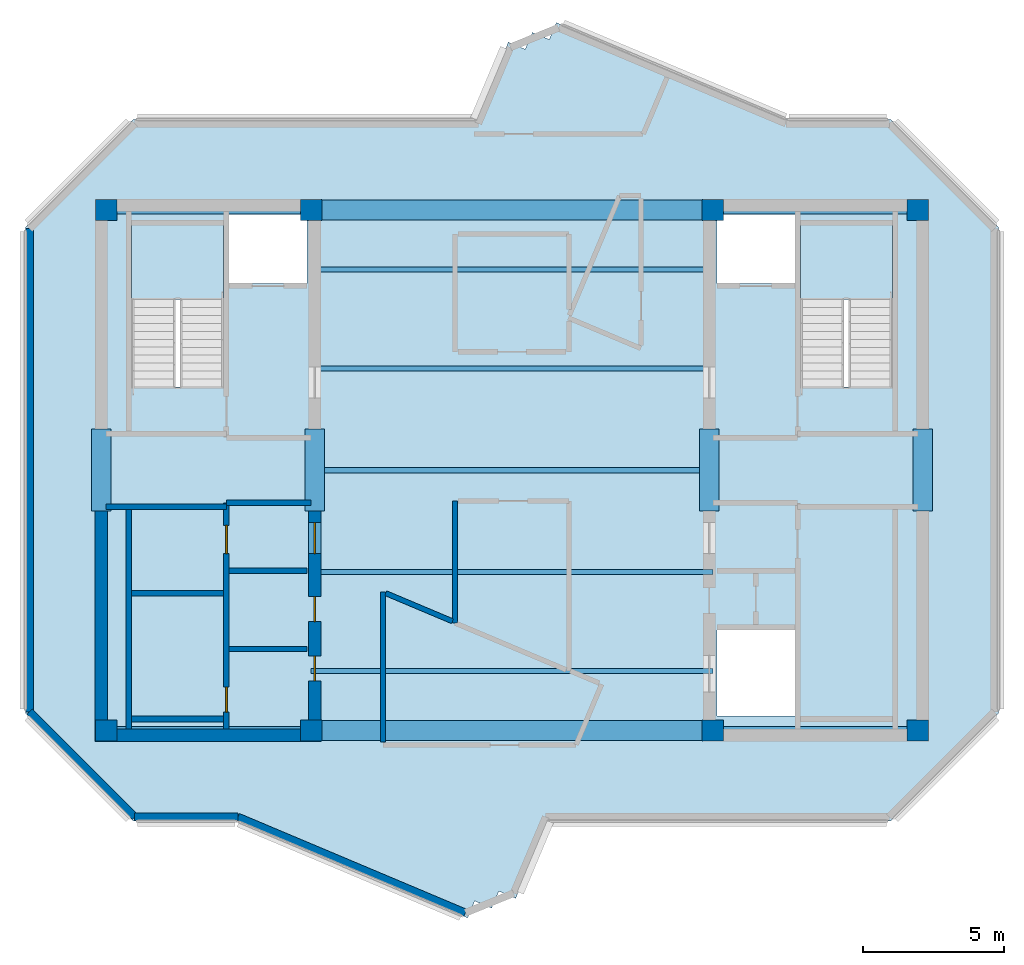
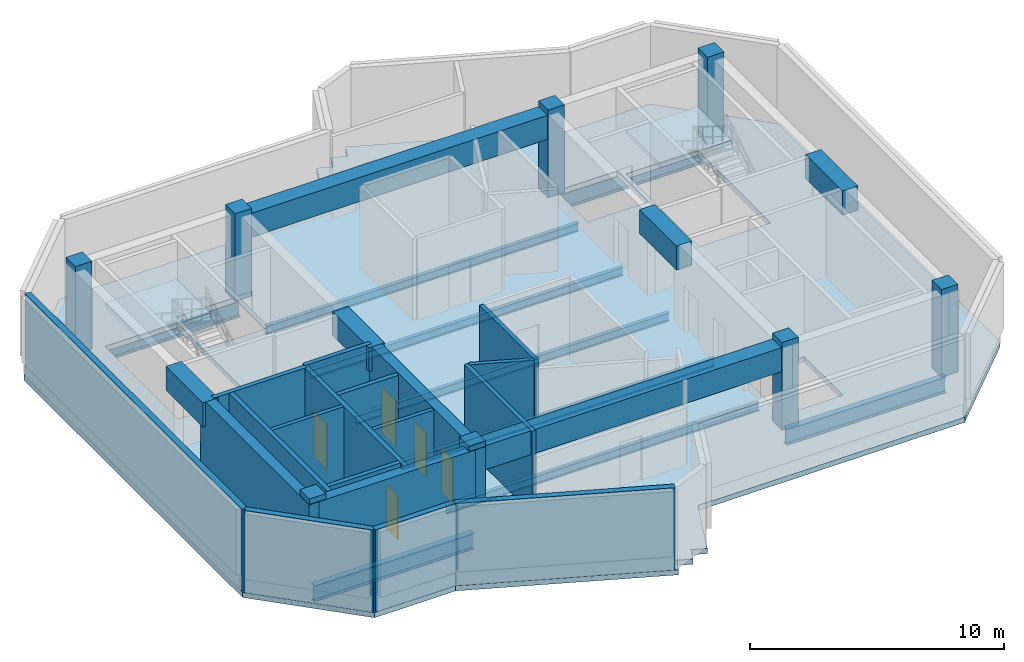
# One storey, part 1 of 5: 18 walls, 15 beams, 8 columns, 5 doors, 3 slabs, 5 openings, 2 elements without a shape of their own.
"""IFC4 building model written with IfcOpenShell, lengths in metres."""

from ifc_helpers import new_model, si_unit, direction, frame, frame_2d, origin, origin_2d, place, context, subcontext, project, spatial, polyline, rectangle, i_section, outline, extrude, source, transform, mapped, material, layer, layer_set, material_profile, profile_set, type_object, element, fill, aggregate, save


model = new_model("IFC4")

# Units and contexts
model_context = context("Model", 3, precision=1e-05, world=origin(), true_north=direction((0.0, 1.0)))
body_context = subcontext(model_context, "Body", "Model", "MODEL_VIEW")
ifc_project = project(units=[si_unit("LENGTHUNIT", "METRE"), si_unit("AREAUNIT", "SQUARE_METRE"), si_unit("VOLUMEUNIT", "CUBIC_METRE"), si_unit("PLANEANGLEUNIT", "RADIAN"), si_unit("MASSUNIT", "GRAM", prefix="KILO")], contexts=[model_context])

# Site, building, storey
site_placement = place(None, origin())
site = spatial("IfcSite", under=ifc_project, at=site_placement, CompositionType="ELEMENT")
building_placement = place(site_placement, origin())
building = spatial("IfcBuilding", under=site, at=building_placement, Name="Zahravan Cultural Tower", CompositionType="ELEMENT")
storey_placement = place(building_placement, frame((0.0, 0.0, 383.85009765625)))
storey = spatial("IfcBuildingStorey", under=building, at=storey_placement, Name="L93", CompositionType="ELEMENT", Elevation=383.85009765625)

# Columns
ifc_material_1 = material(Name="Concrete C45/55", Category="concrete")
ifc_material_profile_1 = material_profile(ifc_material_1, rectangle(XDim=0.75, YDim=0.75, at=origin_2d()), Name="RC750X750")
ifc_profile_set_1 = profile_set([ifc_material_profile_1], Name="Concrete C45/55")
column_type = type_object("IfcColumnType", Name="COL-RC750", PredefinedType="COLUMN", material=ifc_profile_set_1)
shared_shape_1 = source(origin(), body_context, "Body", "SweptSolid", [
    extrude(rectangle(XDim=0.75, YDim=0.75, at=origin_2d()), origin(), (0.0, 0.0, 1.0), 4.199951171875),
])
for number, where, z_axis, x_axis, name in (
    (1, (21.64990234375, 17.800048828125, 0.0), (0.0, 0.0, 1.0), (1.0, 0.0, 0.0), "L93 Column CC-W1"),
    (2, (28.89990234375, 17.800048828125, 0.0), (0.0, 0.0, 1.0), (1.0, 0.0, 0.0), "L93 Column CC-W2"),
    (3, (21.64990234375, 36.199951171875, 0.0), (0.0, 0.0, 1.0), (1.0, 0.0, 0.0), "L93 Column CC-W3"),
    (4, (28.89990234375, 36.199951171875, 0.0), (0.0, 0.0, 1.0), (1.0, 0.0, 0.0), "L93 Column CC-W4"),
    (5, (43.10009765625, 17.800048828125, 0.0), (0.0, 0.0, 1.0), (1.0, 0.0, 0.0), "L93 Column CC-E1"),
    (6, (50.35009765625, 17.800048828125, 0.0), (0.0, 0.0, 1.0), (1.0, 0.0, 0.0), "L93 Column CC-E2"),
    (7, (43.10009765625, 36.199951171875, 0.0), (0.0, 0.0, 1.0), (1.0, 0.0, 0.0), "L93 Column CC-E3"),
    (8, (50.35009765625, 36.199951171875, 0.0), (0.0, 0.0, 1.0), (1.0, 0.0, 0.0), "L93 Column CC-E4"),
):
    element("IfcColumn", number, at=place(storey_placement, frame(where, z_axis=z_axis, x_axis=x_axis)), inside=storey, type_object=column_type, Name=name, PredefinedType="COLUMN", context=body_context, shape_type="MappedRepresentation", body=[
        mapped(shared_shape_1, transform((0.0, 0.0, 0.0), x_axis=(1.0, 0.0, 0.0), y_axis=(0.0, 1.0, 0.0), z_axis=(0.0, 0.0, 1.0), scale=1.0)),
    ])

# Beams
ifc_material_2 = material(Name="Concrete C50/60", Category="concrete")
ifc_material_profile_2 = material_profile(ifc_material_2, rectangle(XDim=0.699951171875, YDim=1.14990234375, at=origin_2d()), Name="RC700X1150")
ifc_profile_set_2 = profile_set([ifc_material_profile_2], Name="Concrete C50/60")
beam_type_1 = type_object("IfcBeamType", Name="BM-LN-RC700X1150", PredefinedType="LINTEL", material=ifc_profile_set_2)
shared_shape_2 = source(origin(), body_context, "Body", "SweptSolid", [
    extrude(rectangle(XDim=0.699951171875, YDim=1.14990234375, at=origin_2d()), origin(), (0.0, 0.0, 1.0), 14.2001953125),
])
for number, where, z_axis, x_axis, name in (
    (9, (28.89990234375, 17.800048828125, 3.364990234375), (1.0, 0.0, 0.0), (0.0, 1.0, 0.0), "L93 Beam LN-L93-S"),
    (10, (28.89990234375, 36.199951171875, 3.364990234375), (1.0, 0.0, 0.0), (0.0, 1.0, 0.0), "L93 Beam LN-L93-N"),
):
    element("IfcBeam", number, at=place(storey_placement, frame(where, z_axis=z_axis, x_axis=x_axis)), inside=storey, type_object=beam_type_1, Name=name, PredefinedType="LINTEL", context=body_context, shape_type="MappedRepresentation", body=[
        mapped(shared_shape_2, transform((0.0, 0.0, 0.0), x_axis=(1.0, 0.0, 0.0), y_axis=(0.0, 1.0, 0.0), z_axis=(0.0, 0.0, 1.0), scale=1.0)),
    ])
shared_shape_3 = source(origin(), body_context, "Body", "SweptSolid", [
    extrude(rectangle(XDim=0.699951171875, YDim=1.14990234375, at=origin_2d()), origin(), (0.0, 0.0, 1.0), 2.89990234375),
])
for number, where, z_axis, x_axis, name in (
    (11, (21.47509765625, 25.550048828125, 3.364990234375), (0.0, 1.0, 0.0), (-1.0, 0.0, 0.0), "L93 Beam LN-L93-PWW"),
    (12, (29.02490234375, 25.550048828125, 3.364990234375), (0.0, 1.0, 0.0), (-1.0, 0.0, 0.0), "L93 Beam LN-L93-PWE"),
    (13, (42.97509765625, 25.550048828125, 3.364990234375), (0.0, 1.0, 0.0), (-1.0, 0.0, 0.0), "L93 Beam LN-L93-PEW"),
    (14, (50.52490234375, 25.550048828125, 3.364990234375), (0.0, 1.0, 0.0), (-1.0, 0.0, 0.0), "L93 Beam LN-L93-PEE"),
):
    element("IfcBeam", number, at=place(storey_placement, frame(where, z_axis=z_axis, x_axis=x_axis)), inside=storey, type_object=beam_type_1, Name=name, PredefinedType="LINTEL", context=body_context, shape_type="MappedRepresentation", body=[
        mapped(shared_shape_3, transform((0.0, 0.0, 0.0), x_axis=(1.0, 0.0, 0.0), y_axis=(0.0, 1.0, 0.0), z_axis=(0.0, 0.0, 1.0), scale=1.0)),
    ])
ifc_material_3 = material(Name="Steel ASTM A992 Grade 50", Category="steel")
ifc_material_profile_3 = material_profile(ifc_material_3, i_section(OverallWidth=0.26611328125, OverallDepth=0.780029296875, WebThickness=0.0166015625, FlangeThickness=0.030029296875, FilletRadius=0.01904296875, at=origin_2d()), Name="W30X148")
ifc_profile_set_3 = profile_set([ifc_material_profile_3], Name="Steel ASTM A992 Grade 50")
beam_type_2 = type_object("IfcBeamType", Name="BM-G-W30X148", PredefinedType="BEAM", material=ifc_profile_set_3)
shared_shape_4 = source(origin(), body_context, "Body", "SweptSolid", [
    extrude(i_section(OverallWidth=0.26611328125, OverallDepth=0.780029296875, WebThickness=0.0166015625, FlangeThickness=0.030029296875, FilletRadius=0.01904296875, at=origin_2d()), origin(), (0.0, 0.0, 1.0), 7.25),
])
for number, where, z_axis, x_axis, name in (
    (15, (21.64990234375, 17.800048828125, -0.64013671875), (1.0, 0.0, 0.0), (0.0, 1.0, 0.0), "L93 Beam BG-L93-01"),
    (16, (21.64990234375, 36.199951171875, -0.64013671875), (1.0, 0.0, 0.0), (0.0, 1.0, 0.0), "L93 Beam BG-L93-02"),
    (17, (43.10009765625, 17.800048828125, -0.64013671875), (1.0, 0.0, 0.0), (0.0, 1.0, 0.0), "L93 Beam BG-L93-04"),
    (18, (43.10009765625, 36.199951171875, -0.64013671875), (1.0, 0.0, 0.0), (0.0, 1.0, 0.0), "L93 Beam BG-L93-05"),
):
    element("IfcBeam", number, at=place(storey_placement, frame(where, z_axis=z_axis, x_axis=x_axis)), inside=storey, type_object=beam_type_2, Name=name, PredefinedType="BEAM", context=body_context, shape_type="MappedRepresentation", body=[
        mapped(shared_shape_4, transform((0.0, 0.0, 0.0), x_axis=(1.0, 0.0, 0.0), y_axis=(0.0, 1.0, 0.0), z_axis=(0.0, 0.0, 1.0), scale=1.0)),
    ])
ifc_material_profile_4 = material_profile(ifc_material_3, i_section(OverallWidth=0.177978515625, OverallDepth=0.406005859375, WebThickness=0.0078125, FlangeThickness=0.0126953125, FilletRadius=0.011962890625, at=origin_2d()), Name="W16X40")
ifc_profile_set_4 = profile_set([ifc_material_profile_4], Name="Steel ASTM A992 Grade 50")
beam_type_3 = type_object("IfcBeamType", Name="BM-J-W16X40", PredefinedType="JOIST", material=ifc_profile_set_4)
shared_shape_5 = source(origin(), body_context, "Body", "SweptSolid", [
    extrude(i_section(OverallWidth=0.177978515625, OverallDepth=0.406005859375, WebThickness=0.0078125, FlangeThickness=0.0126953125, FilletRadius=0.011962890625, at=origin_2d()), origin(), (0.0, 0.0, 1.0), 14.2001953125),
])
for number, where, z_axis, x_axis, name in (
    (19, (28.89990234375, 19.89990234375, -0.453125), (1.0, 0.0, 0.0), (0.0, 1.0, 0.0), "L93 Beam BJ-L93-07"),
    (20, (28.89990234375, 23.39990234375, -0.453125), (1.0, 0.0, 0.0), (0.0, 1.0, 0.0), "L93 Beam BJ-L93-08"),
    (21, (28.89990234375, 27.0, -0.453125), (1.0, 0.0, 0.0), (0.0, 1.0, 0.0), "L93 Beam BJ-L93-09"),
    (22, (28.89990234375, 30.60009765625, -0.453125), (1.0, 0.0, 0.0), (0.0, 1.0, 0.0), "L93 Beam BJ-L93-10"),
    (23, (28.89990234375, 34.10009765625, -0.453125), (1.0, 0.0, 0.0), (0.0, 1.0, 0.0), "L93 Beam BJ-L93-11"),
):
    element("IfcBeam", number, at=place(storey_placement, frame(where, z_axis=z_axis, x_axis=x_axis)), inside=storey, type_object=beam_type_3, Name=name, PredefinedType="JOIST", context=body_context, shape_type="MappedRepresentation", body=[
        mapped(shared_shape_5, transform((0.0, 0.0, 0.0), x_axis=(1.0, 0.0, 0.0), y_axis=(0.0, 1.0, 0.0), z_axis=(0.0, 0.0, 1.0), scale=1.0)),
    ])

# Stair, slab
stair_type = type_object("IfcStairType", Name="STR-DL-1550-420", PredefinedType="HALF_TURN_STAIR", material=ifc_material_1)
stair_1_placement = place(storey_placement, origin())
stair_1 = element("IfcStair", 24, at=stair_1_placement, inside=storey, type_object=stair_type, Name="L93 West Core North Exit Stair ST-W1", PredefinedType="HALF_TURN_STAIR")
ifc_layer_1 = layer(ifc_material_1, 0.199951171875)
ifc_layer_set_1 = layer_set([ifc_layer_1], Name="Concrete C45/55")
slab_type_1 = type_object("IfcSlabType", Name="SL-STAIR-LND200", PredefinedType="LANDING", material=ifc_layer_set_1)
slab_1_placement = place(storey_placement, frame((0.0, 0.0, 1.89990234375)))
slab_1 = element("IfcSlab", 25, at=slab_1_placement, type_object=slab_type_1, Name="ST-W1 landing 1", PredefinedType="LANDING", context=body_context, shape_type="SweptSolid", body=[
    extrude(outline(polyline([(25.800048828125, 33.030029296875), (25.800048828125, 35.699951171875), (22.550048828125, 35.699951171875), (22.550048828125, 33.030029296875), (25.800048828125, 33.030029296875)])), origin(), (0.0, 0.0, 1.0), 0.199951171875),
])
aggregate(stair_1, [slab_1])

stair_2_placement = place(storey_placement, origin())
stair_2 = element("IfcStair", 26, at=stair_2_placement, inside=storey, type_object=stair_type, Name="L93 East Core North Exit Stair ST-E1", PredefinedType="HALF_TURN_STAIR")
slab_2_placement = place(storey_placement, frame((0.0, 0.0, 1.89990234375)))
slab_2 = element("IfcSlab", 27, at=slab_2_placement, type_object=slab_type_1, Name="ST-E1 landing 1", PredefinedType="LANDING", context=body_context, shape_type="SweptSolid", body=[
    extrude(outline(polyline([(49.449951171875, 33.030029296875), (49.449951171875, 35.699951171875), (46.199951171875, 35.699951171875), (46.199951171875, 33.030029296875), (49.449951171875, 33.030029296875)])), origin(), (0.0, 0.0, 1.0), 0.199951171875),
])
aggregate(stair_2, [slab_2])

# Slab
ifc_material_4 = material(Name="Concrete C40/50", Category="concrete")
ifc_layer_2 = layer(ifc_material_4, 0.25)
ifc_layer_set_2 = layer_set([ifc_layer_2], Name="Concrete C40/50")
slab_type_2 = type_object("IfcSlabType", Name="SL-TYP-250", PredefinedType="FLOOR", material=ifc_layer_set_2)
slab_3_placement = place(storey_placement, frame((0.0, 0.0, -0.25)))
element("IfcSlab", 28, at=slab_3_placement, inside=storey, type_object=slab_type_2, Name="L93 Structural Floor Slab", PredefinedType="FLOOR", context=body_context, shape_type="SweptSolid", body=[
    extrude(outline(polyline([(34.71435546875, 39.39990234375), (22.60009765625, 39.39990234375), (18.800048828125, 35.60009765625), (18.800048828125, 18.39990234375), (22.60009765625, 14.60009765625), (26.283447265625, 14.60009765625), (34.4287109375, 11.167724609375), (34.68115234375, 11.7666015625), (35.280029296875, 11.514404296875), (35.532470703125, 12.11328125), (36.131591796875, 11.86083984375), (37.28564453125, 14.60009765625), (49.39990234375, 14.60009765625), (53.199951171875, 18.39990234375), (53.199951171875, 35.60009765625), (49.39990234375, 39.39990234375), (45.716552734375, 39.39990234375), (37.5712890625, 42.832275390625), (37.31884765625, 42.2333984375), (36.719970703125, 42.485595703125), (36.467529296875, 41.88671875), (35.868408203125, 42.13916015625), (34.71435546875, 39.39990234375)]), holes=[polyline([(22.550048828125, 29.949951171875), (22.550048828125, 35.699951171875), (25.800048828125, 35.699951171875), (25.800048828125, 29.949951171875), (22.550048828125, 29.949951171875)]), polyline([(46.199951171875, 29.949951171875), (46.199951171875, 35.699951171875), (49.449951171875, 35.699951171875), (49.449951171875, 29.949951171875), (46.199951171875, 29.949951171875)]), polyline([(26.0, 33.60009765625), (26.0, 36.050048828125), (28.75, 36.050048828125), (28.75, 33.60009765625), (26.0, 33.60009765625)]), polyline([(43.25, 33.60009765625), (43.25, 36.050048828125), (46.0, 36.050048828125), (46.0, 33.60009765625), (43.25, 33.60009765625)]), polyline([(43.25, 18.300048828125), (43.25, 21.35009765625), (46.0, 21.35009765625), (46.0, 18.300048828125), (43.25, 18.300048828125)])]), origin(), (0.0, 0.0, 1.0), 0.25),
])

# Wall, openings, doors
ifc_layer_3 = layer(ifc_material_2, 0.449951171875)
ifc_layer_set_3 = layer_set([ifc_layer_3], Name="Concrete C50/60")
wall_type_1 = type_object("IfcWallType", Name="CW-SHEAR-450-C50", PredefinedType="SHEAR", material=ifc_layer_set_3)
wall_1_placement = place(storey_placement, frame((29.02490234375, 17.39990234375, 0.0), z_axis=(0.0, 0.0, 1.0), x_axis=(0.0, 1.0, 0.0)))
wall_1 = element("IfcWall", 29, at=wall_1_placement, inside=storey, type_object=wall_type_1, Name="L93 Core Shear Wall CW-W-ES-L93", PredefinedType="SHEAR", context=body_context, shape_type="SweptSolid", body=[
    extrude(rectangle(XDim=8.550048828125, YDim=0.449951171875, at=frame_2d((4.27490234375, 0.0))), origin(), (0.0, 0.0, 1.0), 3.93994140625),
])
opening_1_placement = place(wall_1_placement, frame((6.64990234375, 0.0, 0.0)))
opening_1 = element("IfcOpeningElement", 30, at=opening_1_placement, cuts=wall_1, Name="Opening D-L93-08", PredefinedType="OPENING", context=body_context, shape_type="SweptSolid", body=[
    extrude(rectangle(XDim=1.10009765625, YDim=2.199951171875, at=frame_2d((0.550048828125, 1.10009765625))), frame((0.0, 0.23486328125, 0.0), z_axis=(0.0, -1.0, 0.0), x_axis=(1.0, 0.0, 0.0)), (0.0, 0.0, 1.0), 0.469970703125),
])
opening_2_placement = place(wall_1_placement, frame((2.14990234375, 0.0, 0.0)))
opening_2 = element("IfcOpeningElement", 31, at=opening_2_placement, cuts=wall_1, Name="Opening D-L93-10", PredefinedType="OPENING", context=body_context, shape_type="SweptSolid", body=[
    extrude(rectangle(XDim=0.8798828125, YDim=2.10009765625, at=frame_2d((0.43994140625, 1.050048828125))), frame((0.0, 0.23486328125, 0.0), z_axis=(0.0, -1.0, 0.0), x_axis=(1.0, 0.0, 0.0)), (0.0, 0.0, 1.0), 0.469970703125),
])
opening_3_placement = place(wall_1_placement, frame((4.25, 0.0, 0.0)))
opening_3 = element("IfcOpeningElement", 32, at=opening_3_placement, cuts=wall_1, Name="Opening D-L93-11", PredefinedType="OPENING", context=body_context, shape_type="SweptSolid", body=[
    extrude(rectangle(XDim=0.8798828125, YDim=2.10009765625, at=frame_2d((0.43994140625, 1.050048828125))), frame((0.0, 0.23486328125, 0.0), z_axis=(0.0, -1.0, 0.0), x_axis=(1.0, 0.0, 0.0)), (0.0, 0.0, 1.0), 0.469970703125),
])
ifc_material_5 = material(Name="Steel ASTM A572 Grade 50", Category="steel")
door_type_1 = type_object("IfcDoorType", Name="DR-LOBBY-1100", OperationType="NOTDEFINED", PredefinedType="DOOR", material=ifc_material_5)
shared_shape_6 = source(origin(), body_context, "Body", "SweptSolid", [
    extrude(rectangle(XDim=1.10009765625, YDim=2.199951171875, at=frame_2d((0.550048828125, 1.10009765625))), frame((0.0, 0.02490234375, 0.0), z_axis=(0.0, -1.0, 0.0), x_axis=(1.0, 0.0, 0.0)), (0.0, 0.0, 1.0), 0.050048828125),
])
door_1_placement = place(opening_1_placement, origin())
door_1 = element("IfcDoor", 33, at=door_1_placement, inside=storey, type_object=door_type_1, Name="L93 Door D-L93-08", OperationType="SINGLE_SWING_RIGHT", OverallHeight=2.199951171875, OverallWidth=1.10009765625, PredefinedType="DOOR", context=body_context, shape_type="MappedRepresentation", body=[
    mapped(shared_shape_6, transform((0.0, 0.0, 0.0), x_axis=(1.0, 0.0, 0.0), y_axis=(0.0, 1.0, 0.0), z_axis=(0.0, 0.0, 1.0), scale=1.0)),
])
fill(opening_1, door_1)
door_type_2 = type_object("IfcDoorType", Name="DR-SVC-880", OperationType="NOTDEFINED", PredefinedType="DOOR", material=ifc_material_5)
shared_shape_7 = source(origin(), body_context, "Body", "SweptSolid", [
    extrude(rectangle(XDim=0.8798828125, YDim=2.10009765625, at=frame_2d((0.43994140625, 1.050048828125))), frame((0.0, 0.02490234375, 0.0), z_axis=(0.0, -1.0, 0.0), x_axis=(1.0, 0.0, 0.0)), (0.0, 0.0, 1.0), 0.050048828125),
])
door_2_placement = place(opening_2_placement, origin())
door_2 = element("IfcDoor", 34, at=door_2_placement, inside=storey, type_object=door_type_2, Name="L93 Door D-L93-10", OperationType="SINGLE_SWING_RIGHT", OverallHeight=2.10009765625, OverallWidth=0.8798828125, PredefinedType="DOOR", context=body_context, shape_type="MappedRepresentation", body=[
    mapped(shared_shape_7, transform((0.0, 0.0, 0.0), x_axis=(1.0, 0.0, 0.0), y_axis=(0.0, 1.0, 0.0), z_axis=(0.0, 0.0, 1.0), scale=1.0)),
])
fill(opening_2, door_2)
door_3_placement = place(opening_3_placement, origin())
door_3 = element("IfcDoor", 35, at=door_3_placement, inside=storey, type_object=door_type_2, Name="L93 Door D-L93-11", OperationType="SINGLE_SWING_LEFT", OverallHeight=2.10009765625, OverallWidth=0.8798828125, PredefinedType="DOOR", context=body_context, shape_type="MappedRepresentation", body=[
    mapped(shared_shape_7, transform((0.0, 0.0, 0.0), x_axis=(1.0, 0.0, 0.0), y_axis=(0.0, 1.0, 0.0), z_axis=(0.0, 0.0, 1.0), scale=1.0)),
])
fill(opening_3, door_3)

ifc_layer_4 = layer(ifc_material_1, 0.199951171875)
ifc_layer_set_4 = layer_set([ifc_layer_4], Name="Concrete C45/55")
wall_type_2 = type_object("IfcWallType", Name="W-SHAFT-200", PredefinedType="SOLIDWALL", material=ifc_layer_set_4)
wall_2_placement = place(storey_placement, frame((25.89990234375, 17.85009765625, 0.0), z_axis=(0.0, 0.0, 1.0), x_axis=(0.0, 1.0, 0.0)))
wall_2 = element("IfcWall", 36, at=wall_2_placement, inside=storey, type_object=wall_type_2, Name="L93 Interior Wall 005", PredefinedType="SOLIDWALL", context=body_context, shape_type="SweptSolid", body=[
    extrude(rectangle(XDim=8.0, YDim=0.199951171875, at=frame_2d((4.0, 0.0))), origin(), (0.0, 0.0, 1.0), 3.93994140625),
])
opening_4_placement = place(wall_2_placement, frame((6.199951171875, 0.0, 0.0)))
opening_4 = element("IfcOpeningElement", 37, at=opening_4_placement, cuts=wall_2, Name="Opening D-L93-04", PredefinedType="OPENING", context=body_context, shape_type="SweptSolid", body=[
    extrude(rectangle(XDim=1.0, YDim=2.14990234375, at=frame_2d((0.5, 1.074951171875))), frame((0.0, 0.10986328125, 0.0), z_axis=(0.0, -1.0, 0.0), x_axis=(1.0, 0.0, 0.0)), (0.0, 0.0, 1.0), 0.219970703125),
])
opening_5_placement = place(wall_2_placement, frame((0.60009765625, 0.0, 0.0)))
opening_5 = element("IfcOpeningElement", 38, at=opening_5_placement, cuts=wall_2, Name="Opening D-L93-05", PredefinedType="OPENING", context=body_context, shape_type="SweptSolid", body=[
    extrude(rectangle(XDim=0.8798828125, YDim=2.10009765625, at=frame_2d((0.43994140625, 1.050048828125))), frame((0.0, 0.10986328125, 0.0), z_axis=(0.0, -1.0, 0.0), x_axis=(1.0, 0.0, 0.0)), (0.0, 0.0, 1.0), 0.219970703125),
])
door_4_placement = place(opening_5_placement, origin())
door_4 = element("IfcDoor", 39, at=door_4_placement, inside=storey, type_object=door_type_2, Name="L93 Door D-L93-05", OperationType="SINGLE_SWING_LEFT", OverallHeight=2.10009765625, OverallWidth=0.8798828125, PredefinedType="DOOR", context=body_context, shape_type="MappedRepresentation", body=[
    mapped(shared_shape_7, transform((0.0, 0.0, 0.0), x_axis=(1.0, 0.0, 0.0), y_axis=(0.0, 1.0, 0.0), z_axis=(0.0, 0.0, 1.0), scale=1.0)),
])
fill(opening_5, door_4)
door_type_3 = type_object("IfcDoorType", Name="DR-COMP-1000", OperationType="NOTDEFINED", PredefinedType="DOOR", material=ifc_material_5)
shared_shape_8 = source(origin(), body_context, "Body", "SweptSolid", [
    extrude(rectangle(XDim=1.0, YDim=2.14990234375, at=frame_2d((0.5, 1.074951171875))), frame((0.0, 0.02490234375, 0.0), z_axis=(0.0, -1.0, 0.0), x_axis=(1.0, 0.0, 0.0)), (0.0, 0.0, 1.0), 0.050048828125),
])
door_5_placement = place(opening_4_placement, origin())
door_5 = element("IfcDoor", 40, at=door_5_placement, inside=storey, type_object=door_type_3, Name="L93 Door D-L93-04", OperationType="SINGLE_SWING_RIGHT", OverallHeight=2.14990234375, OverallWidth=1.0, PredefinedType="DOOR", context=body_context, shape_type="MappedRepresentation", body=[
    mapped(shared_shape_8, transform((0.0, 0.0, 0.0), x_axis=(1.0, 0.0, 0.0), y_axis=(0.0, 1.0, 0.0), z_axis=(0.0, 0.0, 1.0), scale=1.0)),
])
fill(opening_4, door_5)

# Walls
shared_shape_9 = source(origin(), body_context, "Body", "SweptSolid", [
    extrude(rectangle(XDim=8.550048828125, YDim=0.449951171875, at=frame_2d((4.27490234375, 0.0))), origin(), (0.0, 0.0, 1.0), 3.93994140625),
])
wall_3_placement = place(storey_placement, frame((21.47509765625, 17.39990234375, 0.0), z_axis=(0.0, 0.0, 1.0), x_axis=(0.0, 1.0, 0.0)))
element("IfcWall", 41, at=wall_3_placement, inside=storey, type_object=wall_type_1, Name="L93 Core Shear Wall CW-W-WS-L93", PredefinedType="SHEAR", context=body_context, shape_type="MappedRepresentation", body=[
    mapped(shared_shape_9, transform((0.0, 0.0, 0.0), x_axis=(1.0, 0.0, 0.0), y_axis=(0.0, 1.0, 0.0), z_axis=(0.0, 0.0, 1.0), scale=1.0)),
])
shared_shape_10 = source(origin(), body_context, "Body", "SweptSolid", [
    extrude(rectangle(XDim=7.10009765625, YDim=0.449951171875, at=frame_2d((3.550048828125, 0.0))), origin(), (0.0, 0.0, 1.0), 3.93994140625),
])
wall_4_placement = place(storey_placement, frame((21.699951171875, 17.625, 0.0), z_axis=(0.0, 0.0, 1.0), x_axis=(1.0, 0.0, 0.0)))
element("IfcWall", 42, at=wall_4_placement, inside=storey, type_object=wall_type_1, Name="L93 Core Shear Wall CW-W-S-L93", PredefinedType="SHEAR", context=body_context, shape_type="MappedRepresentation", body=[
    mapped(shared_shape_10, transform((0.0, 0.0, 0.0), x_axis=(1.0, 0.0, 0.0), y_axis=(0.0, 1.0, 0.0), z_axis=(0.0, 0.0, 1.0), scale=1.0)),
])
ifc_material_6 = material(Name="Precast concrete C40/50", Category="concrete")
ifc_layer_5 = layer(ifc_material_6, 0.260009765625)
ifc_layer_set_5 = layer_set([ifc_layer_5], Name="Precast concrete C40/50")
wall_type_3 = type_object("IfcWallType", Name="EW-CROWN-260", PredefinedType="SOLIDWALL", material=ifc_layer_set_5)
shared_shape_11 = source(origin(), body_context, "Body", "SweptSolid", [
    extrude(rectangle(XDim=8.72705078125, YDim=0.260009765625, at=frame_2d((4.363525390625, 0.0))), origin(), (0.0, 0.0, 1.0), 3.93994140625),
])
wall_5_placement = place(storey_placement, frame((34.35400390625, 11.35107421875, 0.0), z_axis=(0.0, 0.0, 1.0), x_axis=(-0.921524227272, 0.38832087061, 0.0)))
element("IfcWall", 43, at=wall_5_placement, inside=storey, type_object=wall_type_3, Name="L93 Exterior Masonry Frame Wall 11", PredefinedType="SOLIDWALL", context=body_context, shape_type="MappedRepresentation", body=[
    mapped(shared_shape_11, transform((0.0, 0.0, 0.0), x_axis=(1.0, 0.0, 0.0), y_axis=(0.0, 1.0, 0.0), z_axis=(0.0, 0.0, 1.0), scale=1.0)),
])
shared_shape_12 = source(origin(), body_context, "Body", "SweptSolid", [
    extrude(rectangle(XDim=3.65380859375, YDim=0.260009765625, at=frame_2d((1.826904296875, 0.0))), origin(), (0.0, 0.0, 1.0), 3.93994140625),
])
wall_6_placement = place(storey_placement, frame((26.311767578125, 14.739990234375, 0.0), z_axis=(0.0, 0.0, 1.0), x_axis=(-1.0, 0.0, 0.0)))
element("IfcWall", 44, at=wall_6_placement, inside=storey, type_object=wall_type_3, Name="L93 Exterior Masonry Frame Wall 12", PredefinedType="SOLIDWALL", context=body_context, shape_type="MappedRepresentation", body=[
    mapped(shared_shape_12, transform((0.0, 0.0, 0.0), x_axis=(1.0, 0.0, 0.0), y_axis=(0.0, 1.0, 0.0), z_axis=(0.0, 0.0, 1.0), scale=1.0)),
])
shared_shape_13 = source(origin(), body_context, "Body", "SweptSolid", [
    extrude(rectangle(XDim=5.258056640625, YDim=0.260009765625, at=frame_2d((2.62890625, 0.0))), origin(), (0.0, 0.0, 1.0), 3.93994140625),
])
wall_7_placement = place(storey_placement, frame((22.657958984375, 14.739990234375, 0.0), z_axis=(0.0, 0.0, 1.0), x_axis=(-0.707106781187, 0.707106781187, 0.0)))
element("IfcWall", 45, at=wall_7_placement, inside=storey, type_object=wall_type_3, Name="L93 Exterior Masonry Frame Wall 13", PredefinedType="SOLIDWALL", context=body_context, shape_type="MappedRepresentation", body=[
    mapped(shared_shape_13, transform((0.0, 0.0, 0.0), x_axis=(1.0, 0.0, 0.0), y_axis=(0.0, 1.0, 0.0), z_axis=(0.0, 0.0, 1.0), scale=1.0)),
])
shared_shape_14 = source(origin(), body_context, "Body", "SweptSolid", [
    extrude(rectangle(XDim=17.083984375, YDim=0.260009765625, at=frame_2d((8.5419921875, 0.0))), origin(), (0.0, 0.0, 1.0), 3.93994140625),
])
wall_8_placement = place(storey_placement, frame((18.93994140625, 18.4580078125, 0.0), z_axis=(0.0, 0.0, 1.0), x_axis=(0.0, 1.0, 0.0)))
element("IfcWall", 46, at=wall_8_placement, inside=storey, type_object=wall_type_3, Name="L93 Exterior Masonry Frame Wall 14", PredefinedType="SOLIDWALL", context=body_context, shape_type="MappedRepresentation", body=[
    mapped(shared_shape_14, transform((0.0, 0.0, 0.0), x_axis=(1.0, 0.0, 0.0), y_axis=(0.0, 1.0, 0.0), z_axis=(0.0, 0.0, 1.0), scale=1.0)),
])
shared_shape_15 = source(origin(), body_context, "Body", "SweptSolid", [
    extrude(rectangle(XDim=7.869873046875, YDim=0.199951171875, at=frame_2d((3.93505859375, 0.0))), origin(), (0.0, 0.0, 1.0), 3.93994140625),
])
wall_9_placement = place(storey_placement, frame((22.449951171875, 17.85009765625, 0.0), z_axis=(0.0, 0.0, 1.0), x_axis=(0.0, 1.0, 0.0)))
element("IfcWall", 47, at=wall_9_placement, inside=storey, type_object=wall_type_2, Name="L93 Interior Wall 001", PredefinedType="SOLIDWALL", context=body_context, shape_type="MappedRepresentation", body=[
    mapped(shared_shape_15, transform((0.0, 0.0, 0.0), x_axis=(1.0, 0.0, 0.0), y_axis=(0.0, 1.0, 0.0), z_axis=(0.0, 0.0, 1.0), scale=1.0)),
])
shared_shape_16 = source(origin(), body_context, "Body", "SweptSolid", [
    extrude(rectangle(XDim=4.25, YDim=0.199951171875, at=frame_2d((2.125, 0.0))), origin(), (0.0, 0.0, 1.0), 3.93994140625),
])
wall_10_placement = place(storey_placement, frame((21.64990234375, 25.715087890625, 0.0), z_axis=(0.0, 0.0, 1.0), x_axis=(1.0, 0.0, 0.0)))
element("IfcWall", 48, at=wall_10_placement, inside=storey, type_object=wall_type_2, Name="L93 Interior Wall 009", PredefinedType="SOLIDWALL", context=body_context, shape_type="MappedRepresentation", body=[
    mapped(shared_shape_16, transform((0.0, 0.0, 0.0), x_axis=(1.0, 0.0, 0.0), y_axis=(0.0, 1.0, 0.0), z_axis=(0.0, 0.0, 1.0), scale=1.0)),
])
shared_shape_17 = source(origin(), body_context, "Body", "SweptSolid", [
    extrude(rectangle(XDim=3.0, YDim=0.199951171875, at=frame_2d((1.5, 0.0))), origin(), (0.0, 0.0, 1.0), 3.93994140625),
])
wall_11_placement = place(storey_placement, frame((25.89990234375, 25.85009765625, 0.0), z_axis=(0.0, 0.0, 1.0), x_axis=(1.0, 0.0, 0.0)))
element("IfcWall", 49, at=wall_11_placement, inside=storey, type_object=wall_type_2, Name="L93 Interior Wall 010", PredefinedType="SOLIDWALL", context=body_context, shape_type="MappedRepresentation", body=[
    mapped(shared_shape_17, transform((0.0, 0.0, 0.0), x_axis=(1.0, 0.0, 0.0), y_axis=(0.0, 1.0, 0.0), z_axis=(0.0, 0.0, 1.0), scale=1.0)),
])
shared_shape_18 = source(origin(), body_context, "Body", "SweptSolid", [
    extrude(rectangle(XDim=3.25, YDim=0.199951171875, at=frame_2d((1.625, 0.0))), origin(), (0.0, 0.0, 1.0), 3.93994140625),
])
wall_12_placement = place(storey_placement, frame((22.550048828125, 18.199951171875, 0.0), z_axis=(0.0, 0.0, 1.0), x_axis=(1.0, 0.0, 0.0)))
element("IfcWall", 50, at=wall_12_placement, inside=storey, type_object=wall_type_2, Name="L93 Interior Wall 019", PredefinedType="SOLIDWALL", context=body_context, shape_type="MappedRepresentation", body=[
    mapped(shared_shape_18, transform((0.0, 0.0, 0.0), x_axis=(1.0, 0.0, 0.0), y_axis=(0.0, 1.0, 0.0), z_axis=(0.0, 0.0, 1.0), scale=1.0)),
])
ifc_material_7 = material(Name="Gypsum plasterboard partition")
ifc_layer_6 = layer(ifc_material_7, 0.179931640625)
ifc_layer_set_6 = layer_set([ifc_layer_6], Name="Gypsum plasterboard partition")
wall_type_4 = type_object("IfcWallType", Name="W-COMP-180", PredefinedType="PARTITIONING", material=ifc_layer_set_6)
shared_shape_19 = source(origin(), body_context, "Body", "SweptSolid", [
    extrude(rectangle(XDim=3.25, YDim=0.179931640625, at=frame_2d((1.625, 0.0))), origin(), (0.0, 0.0, 1.0), 3.93994140625),
])
wall_13_placement = place(storey_placement, frame((22.550048828125, 22.64990234375, 0.0), z_axis=(0.0, 0.0, 1.0), x_axis=(1.0, 0.0, 0.0)))
element("IfcWall", 51, at=wall_13_placement, inside=storey, type_object=wall_type_4, Name="L93 Interior Wall 021", PredefinedType="PARTITIONING", context=body_context, shape_type="MappedRepresentation", body=[
    mapped(shared_shape_19, transform((0.0, 0.0, 0.0), x_axis=(1.0, 0.0, 0.0), y_axis=(0.0, 1.0, 0.0), z_axis=(0.0, 0.0, 1.0), scale=1.0)),
])
shared_shape_20 = source(origin(), body_context, "Body", "SweptSolid", [
    extrude(rectangle(XDim=2.75, YDim=0.199951171875, at=frame_2d((1.375, 0.0))), origin(), (0.0, 0.0, 1.0), 3.93994140625),
])
wall_14_placement = place(storey_placement, frame((26.0, 23.449951171875, 0.0), z_axis=(0.0, 0.0, 1.0), x_axis=(1.0, 0.0, 0.0)))
element("IfcWall", 52, at=wall_14_placement, inside=storey, type_object=wall_type_2, Name="L93 Interior Wall 024", PredefinedType="SOLIDWALL", context=body_context, shape_type="MappedRepresentation", body=[
    mapped(shared_shape_20, transform((0.0, 0.0, 0.0), x_axis=(1.0, 0.0, 0.0), y_axis=(0.0, 1.0, 0.0), z_axis=(0.0, 0.0, 1.0), scale=1.0)),
])
shared_shape_21 = source(origin(), body_context, "Body", "SweptSolid", [
    extrude(rectangle(XDim=2.75, YDim=0.179931640625, at=frame_2d((1.375, 0.0))), origin(), (0.0, 0.0, 1.0), 3.93994140625),
])
wall_15_placement = place(storey_placement, frame((26.0, 20.679931640625, 0.0), z_axis=(0.0, 0.0, 1.0), x_axis=(1.0, 0.0, 0.0)))
element("IfcWall", 53, at=wall_15_placement, inside=storey, type_object=wall_type_4, Name="L93 Interior Wall 027", PredefinedType="PARTITIONING", context=body_context, shape_type="MappedRepresentation", body=[
    mapped(shared_shape_21, transform((0.0, 0.0, 0.0), x_axis=(1.0, 0.0, 0.0), y_axis=(0.0, 1.0, 0.0), z_axis=(0.0, 0.0, 1.0), scale=1.0)),
])
shared_shape_22 = source(origin(), body_context, "Body", "SweptSolid", [
    extrude(rectangle(XDim=4.3134765625, YDim=0.179931640625, at=frame_2d((2.15673828125, 0.0))), origin(), (0.0, 0.0, 1.0), 3.93994140625),
])
wall_16_placement = place(storey_placement, frame((33.989990234375, 21.596435546875, 0.0), z_axis=(0.0, 0.0, 1.0), x_axis=(0.0, 1.0, 0.0)))
element("IfcWall", 54, at=wall_16_placement, inside=storey, type_object=wall_type_4, Name="L93 Interior Wall 040", PredefinedType="PARTITIONING", context=body_context, shape_type="MappedRepresentation", body=[
    mapped(shared_shape_22, transform((0.0, 0.0, 0.0), x_axis=(1.0, 0.0, 0.0), y_axis=(0.0, 1.0, 0.0), z_axis=(0.0, 0.0, 1.0), scale=1.0)),
])
shared_shape_23 = source(origin(), body_context, "Body", "SweptSolid", [
    extrude(rectangle(XDim=5.3076171875, YDim=0.179931640625, at=frame_2d((2.65380859375, 0.0))), origin(), (0.0, 0.0, 1.0), 3.93994140625),
])
wall_17_placement = place(storey_placement, frame((31.43994140625, 17.385009765625, 0.0), z_axis=(0.0, 0.0, 1.0), x_axis=(0.0, 1.0, 0.0)))
element("IfcWall", 55, at=wall_17_placement, inside=storey, type_object=wall_type_4, Name="L93 Interior Wall 046", PredefinedType="PARTITIONING", context=body_context, shape_type="MappedRepresentation", body=[
    mapped(shared_shape_23, transform((0.0, 0.0, 0.0), x_axis=(1.0, 0.0, 0.0), y_axis=(0.0, 1.0, 0.0), z_axis=(0.0, 0.0, 1.0), scale=1.0)),
])
shared_shape_24 = source(origin(), body_context, "Body", "SweptSolid", [
    extrude(rectangle(XDim=2.56103515625, YDim=0.179931640625, at=frame_2d((1.280517578125, 0.0))), origin(), (0.0, 0.0, 1.0), 3.93994140625),
])
wall_18_placement = place(storey_placement, frame((31.534912109375, 22.652587890625, 0.0), z_axis=(0.0, 0.0, 1.0), x_axis=(0.921543833829, -0.388274339008, 0.0)))
element("IfcWall", 56, at=wall_18_placement, inside=storey, type_object=wall_type_4, Name="L93 Interior Wall 047", PredefinedType="PARTITIONING", context=body_context, shape_type="MappedRepresentation", body=[
    mapped(shared_shape_24, transform((0.0, 0.0, 0.0), x_axis=(1.0, 0.0, 0.0), y_axis=(0.0, 1.0, 0.0), z_axis=(0.0, 0.0, 1.0), scale=1.0)),
])

save(model, "model.ifc")
